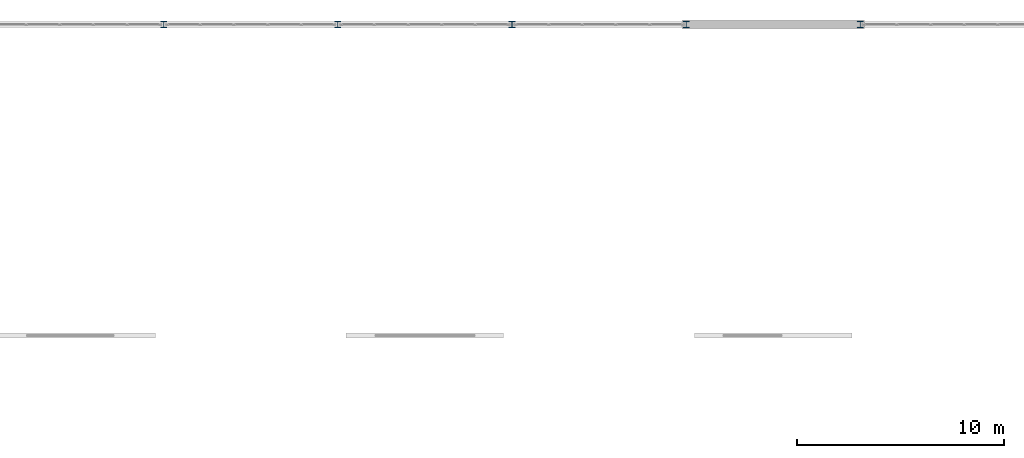
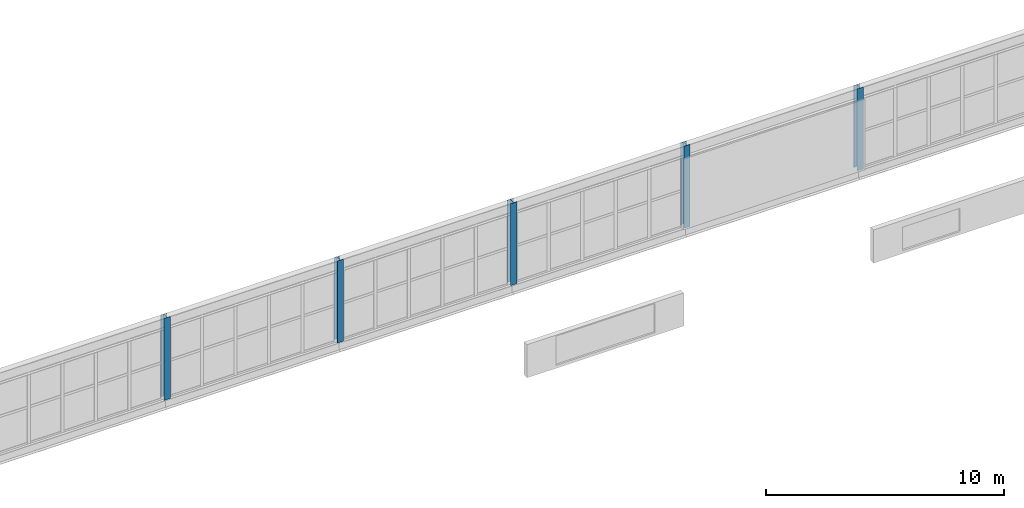
# One storey, part 31 of 218: 5 columns.
"""IFC4 building model written with IfcOpenShell, lengths in metres."""

from ifc_helpers import new_model, si_unit, direction, frame, origin, origin_2d, place, context, subcontext, project, spatial, i_section, extrude, material, material_profile, profile_set, type_object, element, save


model = new_model("IFC4")

# Units and contexts
model_context = context("Model", 3, precision=1e-05, world=origin(), true_north=direction((0.0, 1.0)))
body_context = subcontext(model_context, "Body", "Model", "MODEL_VIEW")
ifc_project = project(units=[si_unit("LENGTHUNIT", "METRE"), si_unit("AREAUNIT", "SQUARE_METRE"), si_unit("VOLUMEUNIT", "CUBIC_METRE"), si_unit("PLANEANGLEUNIT", "RADIAN"), si_unit("MASSUNIT", "GRAM", prefix="KILO")], contexts=[model_context])

# Site, building, storey
site_placement = place(None, origin())
site = spatial("IfcSite", under=ifc_project, at=site_placement, CompositionType="ELEMENT")
building_placement = place(site_placement, origin())
building = spatial("IfcBuilding", under=site, at=building_placement, Name="Kazenagashi Tramway Depot", CompositionType="ELEMENT")
storey_placement = place(building_placement, frame((0.0, 0.0, 6.0)))
storey = spatial("IfcBuildingStorey", under=building, at=storey_placement, Name="L02", CompositionType="ELEMENT", Elevation=6.0)

# Columns
ifc_material = material(Name="Steel SN490B", Category="steel")
ifc_material_profile = material_profile(ifc_material, i_section(OverallWidth=0.3, OverallDepth=0.3, WebThickness=0.01, FlangeThickness=0.015, at=origin_2d()), Name="H-300x300x10x15")
ifc_profile_set = profile_set([ifc_material_profile], Name="Steel SN490B")
column_type = type_object("IfcColumnType", Name="C-05", PredefinedType="COLUMN", material=ifc_profile_set)
for number, where, z_axis, x_axis, name in (
    (1, (86.8, 130.0, 0.0), (0.0, 0.0, 1.0), (1.0, 0.0, 0.0), "Column C-05 COL-0036"),
    (2, (95.2, 130.0, 0.0), (0.0, 0.0, 1.0), (1.0, 0.0, 0.0), "Column C-05 COL-0042"),
    (3, (103.6, 130.0, 0.0), (0.0, 0.0, 1.0), (1.0, 0.0, 0.0), "Column C-05 COL-0048"),
    (4, (112.0, 130.0, 0.0), (0.0, 0.0, 1.0), (1.0, 0.0, 0.0), "Column C-05 COL-0054"),
    (5, (120.4, 130.0, 0.0), (0.0, 0.0, 1.0), (1.0, 0.0, 0.0), "Column C-05 COL-0060"),
):
    element("IfcColumn", number, at=place(storey_placement, frame(where, z_axis=z_axis, x_axis=x_axis)), inside=storey, type_object=column_type, Name=name, PredefinedType="COLUMN", context=body_context, shape_type="SweptSolid", body=[
        extrude(i_section(OverallWidth=0.3, OverallDepth=0.3, WebThickness=0.01, FlangeThickness=0.015, at=origin_2d()), origin(), (0.0, 0.0, 1.0), 4.2),
    ])

save(model, "model.ifc")
